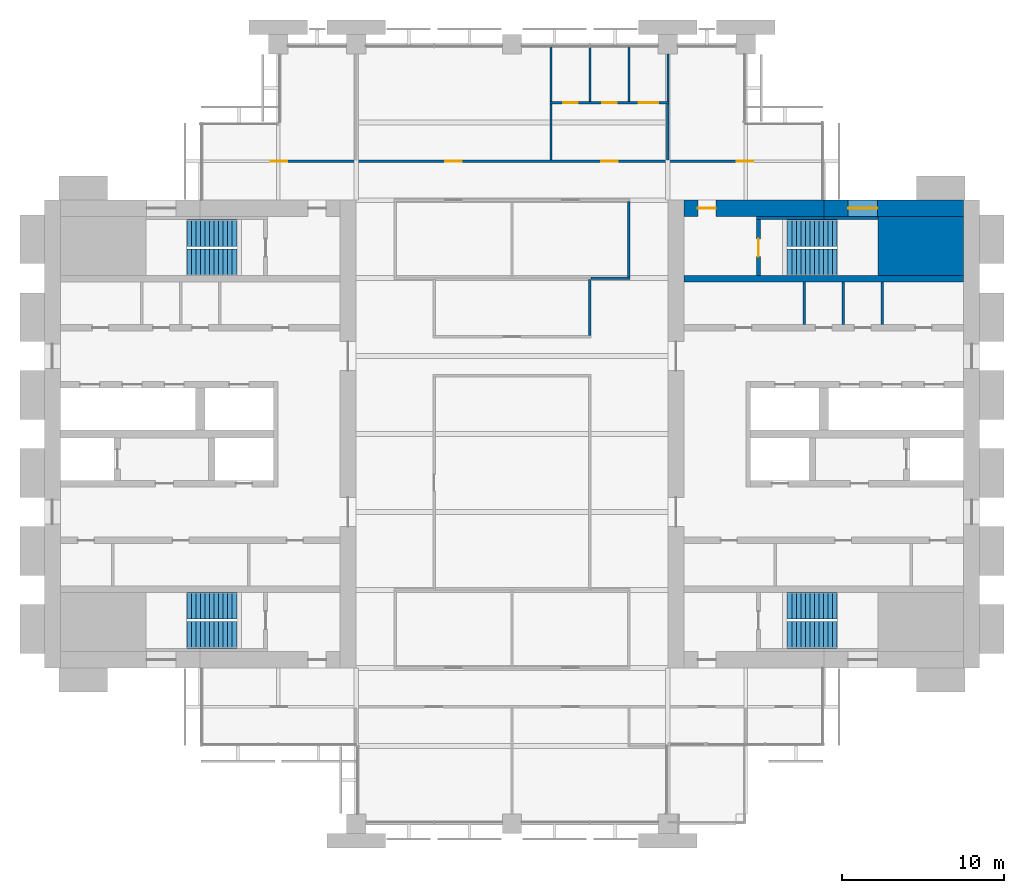
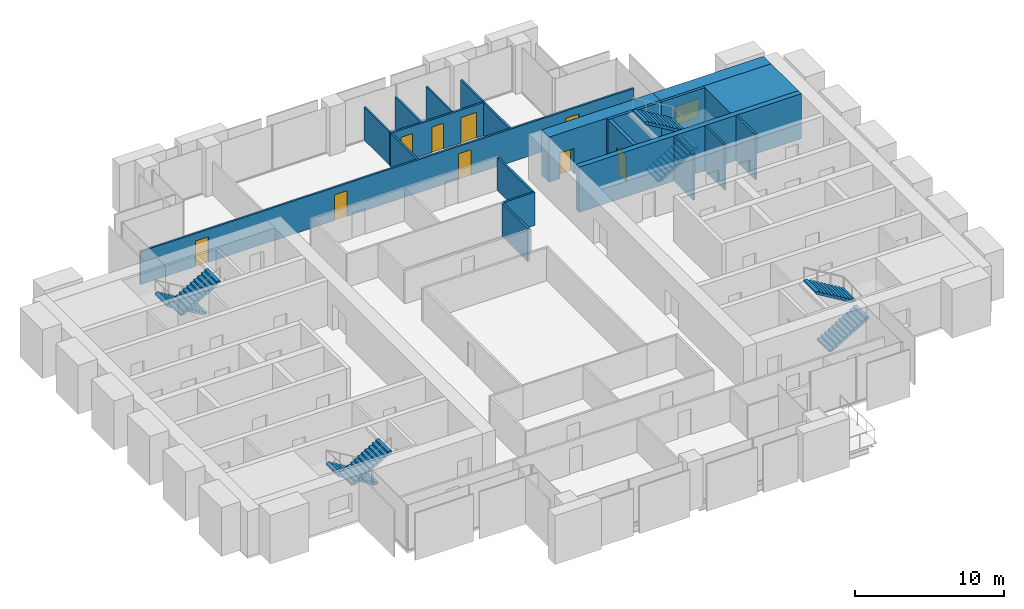
# One storey, part 11 of 13: 21 walls, 9 doors, 8 stair flights, 1 window, 10 openings, 4 elements without a shape of their own.
"""IFC4 building model written with IfcOpenShell, lengths in metres."""

from ifc_helpers import new_model, si_unit, direction, frame, frame_2d, origin, place, context, subcontext, project, spatial, polyline, rectangle, outline, extrude, material, layer, layer_set, type_object, element, fill, aggregate, save


model = new_model("IFC4")

# Units and contexts
model_context = context("Model", 3, precision=1e-05, world=origin(), true_north=direction((0.0, 1.0)))
body_context = subcontext(model_context, "Body", "Model", "MODEL_VIEW")
ifc_project = project(units=[si_unit("LENGTHUNIT", "METRE"), si_unit("AREAUNIT", "SQUARE_METRE"), si_unit("VOLUMEUNIT", "CUBIC_METRE"), si_unit("PLANEANGLEUNIT", "RADIAN"), si_unit("MASSUNIT", "GRAM", prefix="KILO")], contexts=[model_context])

# Site, building, storey
site_placement = place(None, origin())
site = spatial("IfcSite", under=ifc_project, at=site_placement, CompositionType="ELEMENT")
building_placement = place(site_placement, origin())
building = spatial("IfcBuilding", under=site, at=building_placement, Name="Baori Bourse Tower", CompositionType="ELEMENT")
storey_placement = place(building_placement, frame((0.0, 0.0, 172.10009765625)))
storey = spatial("IfcBuildingStorey", under=building, at=storey_placement, Name="L38", CompositionType="ELEMENT", Elevation=172.10009765625)

# Walls
ifc_material_1 = material(Name="Concrete f'c 60 MPa", Category="concrete")
wall_type_1 = type_object("IfcWallType", Name="Core corner block f'c 60", PredefinedType="SHEAR", material=ifc_material_1)
wall_1_placement = place(storey_placement, frame((51.35009765625, 35.574951171875, 0.0), z_axis=(0.0, 0.0, 1.0), x_axis=(1.0, 0.0, 0.0)))
element("IfcWall", 1, at=wall_1_placement, inside=storey, type_object=wall_type_1, Name="Core wall E25", PredefinedType="SHEAR", context=body_context, shape_type="SweptSolid", body=[
    extrude(rectangle(XDim=5.25, YDim=3.64990234375, at=frame_2d((2.625, 0.0))), origin(), (0.0, 0.0, 1.0), 3.699951171875),
])
ifc_material_2 = material(Name="Blockwork partition", Category="masonry")
ifc_layer_1 = layer(ifc_material_2, 0.14990234375)
ifc_layer_set_1 = layer_set([ifc_layer_1], Name="Core partition 150")
wall_type_2 = type_object("IfcWallType", Name="Core partition 150", PredefinedType="PARTITIONING", material=ifc_layer_set_1)
for number, where, z_axis, x_axis, name in (
    (2, (51.60009765625, 30.75, 0.0), (0.0, 0.0, 1.0), (0.0, 1.0, 0.0), "Partition wall E21"),
    (3, (49.199951171875, 30.75, 0.0), (0.0, 0.0, 1.0), (0.0, 1.0, 0.0), "Partition wall E22"),
    (4, (46.800048828125, 30.75, 0.0), (0.0, 0.0, 1.0), (0.0, 1.0, 0.0), "Partition wall E23"),
):
    element("IfcWall", number, at=place(storey_placement, frame(where, z_axis=z_axis, x_axis=x_axis)), inside=storey, type_object=wall_type_2, Name=name, PredefinedType="PARTITIONING", context=body_context, shape_type="SweptSolid", body=[
        extrude(rectangle(XDim=2.60009765625, YDim=0.14990234375, at=frame_2d((1.300048828125, 0.0))), origin(), (0.0, 0.0, 1.0), 3.699951171875),
    ])

# Wall, opening, window
ifc_material_3 = material(Name="Concrete f'c 60 MPa", Category="concrete")
ifc_layer_2 = layer(ifc_material_3, 1.0)
ifc_layer_set_2 = layer_set([ifc_layer_2], Name="Core wall 1000 f'c 60")
wall_type_3 = type_object("IfcWallType", Name="Core wall 1000 f'c 60", PredefinedType="SHEAR", material=ifc_layer_set_2)
wall_2_placement = place(storey_placement, frame((48.0, 37.89990234375, 0.0), z_axis=(0.0, 0.0, 1.0), x_axis=(1.0, 0.0, 0.0)))
wall_2 = element("IfcWall", 5, at=wall_2_placement, inside=storey, type_object=wall_type_3, Name="Core wall E29", PredefinedType="SHEAR", context=body_context, shape_type="SweptSolid", body=[
    extrude(rectangle(XDim=8.60009765625, YDim=1.0, at=frame_2d((4.300048828125, 0.0))), origin(), (0.0, 0.0, 1.0), 3.699951171875),
])
opening_1_placement = place(wall_2_placement, frame((1.5, 0.0, 0.89990234375)))
opening_1 = element("IfcOpeningElement", 6, at=opening_1_placement, cuts=wall_2, Name="Opening L38-KW204", PredefinedType="OPENING", context=body_context, shape_type="SweptSolid", body=[
    extrude(rectangle(XDim=1.800048828125, YDim=1.5, at=frame_2d((0.89990234375, 0.75))), frame((0.0, 0.510009765625, 0.0), z_axis=(0.0, -1.0, 0.0), x_axis=(1.0, 0.0, 0.0)), (0.0, 0.0, 1.0), 1.02001953125),
])
ifc_material_4 = material(Name="Pale anodised aluminium", Category="aluminium")
window_type = type_object("IfcWindowType", Name="Stair window 1800 x 1500", PartitioningType="SINGLE_PANEL", PredefinedType="WINDOW", material=ifc_material_4)
window_placement = place(opening_1_placement, origin())
window = element("IfcWindow", 7, at=window_placement, inside=storey, type_object=window_type, Name="Stair window E L38 4", OverallHeight=1.5, OverallWidth=1.800048828125, PartitioningType="SINGLE_PANEL", PredefinedType="WINDOW", context=body_context, shape_type="SweptSolid", body=[
    extrude(rectangle(XDim=1.800048828125, YDim=1.5, at=frame_2d((0.89990234375, 0.75))), frame((0.0, 0.030029296875, 0.0), z_axis=(0.0, -1.0, 0.0), x_axis=(1.0, 0.0, 0.0)), (0.0, 0.0, 1.0), 0.06005859375),
])
fill(opening_1, window)

# Wall, opening, door
wall_3_placement = place(storey_placement, frame((39.39990234375, 37.89990234375, 0.0), z_axis=(0.0, 0.0, 1.0), x_axis=(1.0, 0.0, 0.0)))
wall_3 = element("IfcWall", 8, at=wall_3_placement, inside=storey, type_object=wall_type_3, Name="Core wall E30", PredefinedType="SHEAR", context=body_context, shape_type="SweptSolid", body=[
    extrude(rectangle(XDim=8.60009765625, YDim=1.0, at=frame_2d((4.300048828125, 0.0))), origin(), (0.0, 0.0, 1.0), 3.699951171875),
])
opening_2_placement = place(wall_3_placement, frame((0.85009765625, 0.0, 0.0)))
opening_2 = element("IfcOpeningElement", 9, at=opening_2_placement, cuts=wall_3, Name="Opening L38-D204", PredefinedType="OPENING", context=body_context, shape_type="SweptSolid", body=[
    extrude(rectangle(XDim=1.10009765625, YDim=2.10009765625, at=frame_2d((0.550048828125, 1.050048828125))), frame((0.0, 0.510009765625, 0.0), z_axis=(0.0, -1.0, 0.0), x_axis=(1.0, 0.0, 0.0)), (0.0, 0.0, 1.0), 1.02001953125),
])
ifc_material_5 = material(Name="Painted steel door", Category="steel")
door_type_1 = type_object("IfcDoorType", Name="Stair door 1100", OperationType="SINGLE_SWING_LEFT", PredefinedType="DOOR", material=ifc_material_5)
door_1_placement = place(opening_2_placement, origin())
door_1 = element("IfcDoor", 10, at=door_1_placement, inside=storey, type_object=door_type_1, Name="Stair vestibule door B E L38", OperationType="SINGLE_SWING_LEFT", OverallHeight=2.10009765625, OverallWidth=1.10009765625, PredefinedType="DOOR", context=body_context, shape_type="SweptSolid", body=[
    extrude(rectangle(XDim=1.10009765625, YDim=2.10009765625, at=frame_2d((0.550048828125, 1.050048828125))), frame((0.0, 0.02490234375, 0.0), z_axis=(0.0, -1.0, 0.0), x_axis=(1.0, 0.0, 0.0)), (0.0, 0.0, 1.0), 0.050048828125),
])
fill(opening_2, door_1)

# Wall
ifc_material_6 = material(Name="Gypsum board partition")
ifc_layer_3 = layer(ifc_material_6, 0.14990234375)
ifc_layer_set_3 = layer_set([ifc_layer_3], Name="Corridor partition 150")
wall_type_4 = type_object("IfcWallType", Name="Corridor partition 150", PredefinedType="PARTITIONING", material=ifc_layer_set_3)
wall_4_placement = place(storey_placement, frame((33.675048828125, 33.60009765625, 0.0), z_axis=(0.0, 0.0, 1.0), x_axis=(1.0, 0.0, 0.0)))
element("IfcWall", 11, at=wall_4_placement, inside=storey, type_object=wall_type_4, Name="Partition", PredefinedType="PARTITIONING", context=body_context, shape_type="SweptSolid", body=[
    extrude(rectangle(XDim=2.39990234375, YDim=0.14990234375, at=frame_2d((1.199951171875, 0.0))), origin(), (0.0, 0.0, 1.0), 2.709228515625),
])

# Wall, openings, doors
wall_5_placement = place(storey_placement, frame((9.699951171875, 40.800048828125, 0.0), z_axis=(0.0, 0.0, 1.0), x_axis=(1.0, 0.0, 0.0)))
wall_5 = element("IfcWall", 12, at=wall_5_placement, inside=storey, type_object=wall_type_4, Name="Partition", PredefinedType="PARTITIONING", context=body_context, shape_type="SweptSolid", body=[
    extrude(rectangle(XDim=38.199951171875, YDim=0.14990234375, at=frame_2d((19.10009765625, 0.0))), origin(), (0.0, 0.0, 1.0), 2.709228515625),
])
opening_3_placement = place(wall_5_placement, frame((4.25, 0.0, 0.0)))
opening_3 = element("IfcOpeningElement", 13, at=opening_3_placement, cuts=wall_5, Name="Opening L38-D11", PredefinedType="OPENING", context=body_context, shape_type="SweptSolid", body=[
    extrude(rectangle(XDim=1.0, YDim=2.10009765625, at=frame_2d((0.5, 1.050048828125))), frame((0.0, 0.0849609375, 0.0), z_axis=(0.0, -1.0, 0.0), x_axis=(1.0, 0.0, 0.0)), (0.0, 0.0, 1.0), 0.169921875),
])
opening_4_placement = place(wall_5_placement, frame((15.0, 0.0, 0.0)))
opening_4 = element("IfcOpeningElement", 14, at=opening_4_placement, cuts=wall_5, Name="Opening L38-D12", PredefinedType="OPENING", context=body_context, shape_type="SweptSolid", body=[
    extrude(rectangle(XDim=1.0, YDim=2.10009765625, at=frame_2d((0.5, 1.050048828125))), frame((0.0, 0.0849609375, 0.0), z_axis=(0.0, -1.0, 0.0), x_axis=(1.0, 0.0, 0.0)), (0.0, 0.0, 1.0), 0.169921875),
])
opening_5_placement = place(wall_5_placement, frame((24.60009765625, 0.0, 0.0)))
opening_5 = element("IfcOpeningElement", 15, at=opening_5_placement, cuts=wall_5, Name="Opening L38-D13", PredefinedType="OPENING", context=body_context, shape_type="SweptSolid", body=[
    extrude(rectangle(XDim=1.0, YDim=2.10009765625, at=frame_2d((0.5, 1.050048828125))), frame((0.0, 0.0849609375, 0.0), z_axis=(0.0, -1.0, 0.0), x_axis=(1.0, 0.0, 0.0)), (0.0, 0.0, 1.0), 0.169921875),
])
opening_6_placement = place(wall_5_placement, frame((32.949951171875, 0.0, 0.0)))
opening_6 = element("IfcOpeningElement", 16, at=opening_6_placement, cuts=wall_5, Name="Opening L38-D14", PredefinedType="OPENING", context=body_context, shape_type="SweptSolid", body=[
    extrude(rectangle(XDim=1.0, YDim=2.10009765625, at=frame_2d((0.5, 1.050048828125))), frame((0.0, 0.0849609375, 0.0), z_axis=(0.0, -1.0, 0.0), x_axis=(1.0, 0.0, 0.0)), (0.0, 0.0, 1.0), 0.169921875),
])
ifc_material_7 = material(Name="Timber door leaf", Category="wood")
door_type_2 = type_object("IfcDoorType", Name="Door 1000 x 2100", OperationType="SINGLE_SWING_LEFT", PredefinedType="DOOR", material=ifc_material_7)
door_2_placement = place(opening_3_placement, origin())
door_2 = element("IfcDoor", 17, at=door_2_placement, inside=storey, type_object=door_type_2, Name="Door", OperationType="SINGLE_SWING_RIGHT", OverallHeight=2.10009765625, OverallWidth=1.0, PredefinedType="DOOR", context=body_context, shape_type="SweptSolid", body=[
    extrude(rectangle(XDim=1.0, YDim=2.10009765625, at=frame_2d((0.5, 1.050048828125))), frame((0.0, 0.02490234375, 0.0), z_axis=(0.0, -1.0, 0.0), x_axis=(1.0, 0.0, 0.0)), (0.0, 0.0, 1.0), 0.050048828125),
])
fill(opening_3, door_2)
door_3_placement = place(opening_4_placement, origin())
door_3 = element("IfcDoor", 18, at=door_3_placement, inside=storey, type_object=door_type_2, Name="Door", OperationType="SINGLE_SWING_RIGHT", OverallHeight=2.10009765625, OverallWidth=1.0, PredefinedType="DOOR", context=body_context, shape_type="SweptSolid", body=[
    extrude(rectangle(XDim=1.0, YDim=2.10009765625, at=frame_2d((0.5, 1.050048828125))), frame((0.0, 0.02490234375, 0.0), z_axis=(0.0, -1.0, 0.0), x_axis=(1.0, 0.0, 0.0)), (0.0, 0.0, 1.0), 0.050048828125),
])
fill(opening_4, door_3)
door_4_placement = place(opening_5_placement, origin())
door_4 = element("IfcDoor", 19, at=door_4_placement, inside=storey, type_object=door_type_2, Name="Door", OperationType="SINGLE_SWING_RIGHT", OverallHeight=2.10009765625, OverallWidth=1.0, PredefinedType="DOOR", context=body_context, shape_type="SweptSolid", body=[
    extrude(rectangle(XDim=1.0, YDim=2.10009765625, at=frame_2d((0.5, 1.050048828125))), frame((0.0, 0.02490234375, 0.0), z_axis=(0.0, -1.0, 0.0), x_axis=(1.0, 0.0, 0.0)), (0.0, 0.0, 1.0), 0.050048828125),
])
fill(opening_5, door_4)
door_5_placement = place(opening_6_placement, origin())
door_5 = element("IfcDoor", 20, at=door_5_placement, inside=storey, type_object=door_type_2, Name="Door", OperationType="SINGLE_SWING_LEFT", OverallHeight=2.10009765625, OverallWidth=1.0, PredefinedType="DOOR", context=body_context, shape_type="SweptSolid", body=[
    extrude(rectangle(XDim=1.0, YDim=2.10009765625, at=frame_2d((0.5, 1.050048828125))), frame((0.0, 0.02490234375, 0.0), z_axis=(0.0, -1.0, 0.0), x_axis=(1.0, 0.0, 0.0)), (0.0, 0.0, 1.0), 0.050048828125),
])
fill(opening_6, door_5)

wall_6_placement = place(storey_placement, frame((31.125, 44.39990234375, 0.0), z_axis=(0.0, 0.0, 1.0), x_axis=(1.0, 0.0, 0.0)))
wall_6 = element("IfcWall", 21, at=wall_6_placement, inside=storey, type_object=wall_type_4, Name="Partition", PredefinedType="PARTITIONING", context=body_context, shape_type="SweptSolid", body=[
    extrude(rectangle(XDim=7.35009765625, YDim=0.14990234375, at=frame_2d((3.675048828125, 0.0))), origin(), (0.0, 0.0, 1.0), 2.709228515625),
])
opening_7_placement = place(wall_6_placement, frame((0.824951171875, 0.0, 0.0)))
opening_7 = element("IfcOpeningElement", 22, at=opening_7_placement, cuts=wall_6, Name="Opening L38-D15", PredefinedType="OPENING", context=body_context, shape_type="SweptSolid", body=[
    extrude(rectangle(XDim=0.89990234375, YDim=2.10009765625, at=frame_2d((0.449951171875, 1.050048828125))), frame((0.0, 0.0849609375, 0.0), z_axis=(0.0, -1.0, 0.0), x_axis=(1.0, 0.0, 0.0)), (0.0, 0.0, 1.0), 0.169921875),
])
opening_8_placement = place(wall_6_placement, frame((3.22509765625, 0.0, 0.0)))
opening_8 = element("IfcOpeningElement", 23, at=opening_8_placement, cuts=wall_6, Name="Opening L38-D16", PredefinedType="OPENING", context=body_context, shape_type="SweptSolid", body=[
    extrude(rectangle(XDim=0.89990234375, YDim=2.10009765625, at=frame_2d((0.449951171875, 1.050048828125))), frame((0.0, 0.0849609375, 0.0), z_axis=(0.0, -1.0, 0.0), x_axis=(1.0, 0.0, 0.0)), (0.0, 0.0, 1.0), 0.169921875),
])
opening_9_placement = place(wall_6_placement, frame((5.47509765625, 0.0, 0.0)))
opening_9 = element("IfcOpeningElement", 24, at=opening_9_placement, cuts=wall_6, Name="Opening L38-D17", PredefinedType="OPENING", context=body_context, shape_type="SweptSolid", body=[
    extrude(rectangle(XDim=1.199951171875, YDim=2.10009765625, at=frame_2d((0.60009765625, 1.050048828125))), frame((0.0, 0.0849609375, 0.0), z_axis=(0.0, -1.0, 0.0), x_axis=(1.0, 0.0, 0.0)), (0.0, 0.0, 1.0), 0.169921875),
])
ifc_material_8 = material(Name="Timber door leaf", Category="wood")
door_type_3 = type_object("IfcDoorType", Name="Door 1200 x 2100", OperationType="SINGLE_SWING_LEFT", PredefinedType="DOOR", material=ifc_material_8)
door_6_placement = place(opening_9_placement, origin())
door_6 = element("IfcDoor", 25, at=door_6_placement, inside=storey, type_object=door_type_3, Name="Door", OperationType="SINGLE_SWING_LEFT", OverallHeight=2.10009765625, OverallWidth=1.199951171875, PredefinedType="DOOR", context=body_context, shape_type="SweptSolid", body=[
    extrude(rectangle(XDim=1.199951171875, YDim=2.10009765625, at=frame_2d((0.60009765625, 1.050048828125))), frame((0.0, 0.02490234375, 0.0), z_axis=(0.0, -1.0, 0.0), x_axis=(1.0, 0.0, 0.0)), (0.0, 0.0, 1.0), 0.050048828125),
])
fill(opening_9, door_6)
ifc_material_9 = material(Name="Timber door leaf", Category="wood")
door_type_4 = type_object("IfcDoorType", Name="Door 900 x 2100", OperationType="SINGLE_SWING_LEFT", PredefinedType="DOOR", material=ifc_material_9)
door_7_placement = place(opening_7_placement, origin())
door_7 = element("IfcDoor", 26, at=door_7_placement, inside=storey, type_object=door_type_4, Name="Door", OperationType="SINGLE_SWING_RIGHT", OverallHeight=2.10009765625, OverallWidth=0.89990234375, PredefinedType="DOOR", context=body_context, shape_type="SweptSolid", body=[
    extrude(rectangle(XDim=0.89990234375, YDim=2.10009765625, at=frame_2d((0.449951171875, 1.050048828125))), frame((0.0, 0.02490234375, 0.0), z_axis=(0.0, -1.0, 0.0), x_axis=(1.0, 0.0, 0.0)), (0.0, 0.0, 1.0), 0.050048828125),
])
fill(opening_7, door_7)
door_8_placement = place(opening_8_placement, origin())
door_8 = element("IfcDoor", 27, at=door_8_placement, inside=storey, type_object=door_type_4, Name="Door", OperationType="SINGLE_SWING_RIGHT", OverallHeight=2.10009765625, OverallWidth=0.89990234375, PredefinedType="DOOR", context=body_context, shape_type="SweptSolid", body=[
    extrude(rectangle(XDim=0.89990234375, YDim=2.10009765625, at=frame_2d((0.449951171875, 1.050048828125))), frame((0.0, 0.02490234375, 0.0), z_axis=(0.0, -1.0, 0.0), x_axis=(1.0, 0.0, 0.0)), (0.0, 0.0, 1.0), 0.050048828125),
])
fill(opening_8, door_8)

# Walls
for number, where, z_axis, x_axis, name in (
    (28, (31.199951171875, 40.875, 0.0), (0.0, 0.0, 1.0), (0.0, 1.0, 0.0), "Partition"),
    (29, (33.60009765625, 30.074951171875, 0.0), (0.0, 0.0, 1.0), (0.0, 1.0, 0.0), "Partition"),
):
    element("IfcWall", number, at=place(storey_placement, frame(where, z_axis=z_axis, x_axis=x_axis)), inside=storey, type_object=wall_type_4, Name=name, PredefinedType="PARTITIONING", context=body_context, shape_type="SweptSolid", body=[
        extrude(rectangle(XDim=3.449951171875, YDim=0.14990234375, at=frame_2d((1.72509765625, 0.0))), origin(), (0.0, 0.0, 1.0), 2.709228515625),
    ])
wall_7_placement = place(storey_placement, frame((36.0, 33.675048828125, 0.0), z_axis=(0.0, 0.0, 1.0), x_axis=(0.0, 1.0, 0.0)))
element("IfcWall", 30, at=wall_7_placement, inside=storey, type_object=wall_type_4, Name="Partition", PredefinedType="PARTITIONING", context=body_context, shape_type="SweptSolid", body=[
    extrude(rectangle(XDim=4.64990234375, YDim=0.14990234375, at=frame_2d((2.324951171875, 0.0))), origin(), (0.0, 0.0, 1.0), 2.709228515625),
])
wall_8_placement = place(storey_placement, frame((38.39990234375, 40.875, 0.0), z_axis=(0.0, 0.0, 1.0), x_axis=(0.0, 1.0, 0.0)))
element("IfcWall", 31, at=wall_8_placement, inside=storey, type_object=wall_type_4, Name="Partition", PredefinedType="PARTITIONING", context=body_context, shape_type="SweptSolid", body=[
    extrude(rectangle(XDim=3.449951171875, YDim=0.14990234375, at=frame_2d((1.72509765625, 0.0))), origin(), (0.0, 0.0, 1.0), 2.709228515625),
])
ifc_material_10 = material(Name="Gypsum board partition")
ifc_layer_4 = layer(ifc_material_10, 0.125)
ifc_layer_set_4 = layer_set([ifc_layer_4], Name="Partition 125")
wall_type_5 = type_object("IfcWallType", Name="Partition 125", PredefinedType="PARTITIONING", material=ifc_layer_set_4)
for number, where, z_axis, x_axis, name in (
    (32, (31.199951171875, 44.47509765625, 0.0), (0.0, 0.0, 1.0), (0.0, 1.0, 0.0), "Partition"),
    (33, (33.60009765625, 44.47509765625, 0.0), (0.0, 0.0, 1.0), (0.0, 1.0, 0.0), "Partition"),
    (34, (36.0, 44.47509765625, 0.0), (0.0, 0.0, 1.0), (0.0, 1.0, 0.0), "Partition"),
):
    element("IfcWall", number, at=place(storey_placement, frame(where, z_axis=z_axis, x_axis=x_axis)), inside=storey, type_object=wall_type_5, Name=name, PredefinedType="PARTITIONING", context=body_context, shape_type="SweptSolid", body=[
        extrude(rectangle(XDim=3.4248046875, YDim=0.125, at=frame_2d((1.71240234375, 0.0))), origin(), (0.0, 0.0, 1.0), 2.709228515625),
    ])
wall_9_placement = place(storey_placement, frame((38.39990234375, 44.47509765625, 0.0), z_axis=(0.0, 0.0, 1.0), x_axis=(0.0, 1.0, 0.0)))
element("IfcWall", 35, at=wall_9_placement, inside=storey, type_object=wall_type_5, Name="Partition", PredefinedType="PARTITIONING", context=body_context, shape_type="SweptSolid", body=[
    extrude(rectangle(XDim=2.9248046875, YDim=0.125, at=frame_2d((1.46240234375, 0.0))), origin(), (0.0, 0.0, 1.0), 2.709228515625),
])
ifc_material_11 = material(Name="Concrete f'c 60 MPa", Category="concrete")
ifc_layer_5 = layer(ifc_material_11, 0.199951171875)
ifc_layer_set_5 = layer_set([ifc_layer_5], Name="Shaft wall 200 f'c 60")
wall_type_6 = type_object("IfcWallType", Name="Shaft wall 200 f'c 60", PredefinedType="SHEAR", material=ifc_layer_set_5)
wall_10_placement = place(storey_placement, frame((48.0, 37.300048828125, 0.0), z_axis=(0.0, 0.0, 1.0), x_axis=(1.0, 0.0, 0.0)))
element("IfcWall", 36, at=wall_10_placement, inside=storey, type_object=wall_type_6, Name="Core wall E27", PredefinedType="SHEAR", context=body_context, shape_type="SweptSolid", body=[
    extrude(rectangle(XDim=3.35009765625, YDim=0.199951171875, at=frame_2d((1.675048828125, 0.0))), origin(), (0.0, 0.0, 1.0), 3.699951171875),
])
wall_11_placement = place(storey_placement, frame((43.85009765625, 37.300048828125, 0.0), z_axis=(0.0, 0.0, 1.0), x_axis=(1.0, 0.0, 0.0)))
element("IfcWall", 37, at=wall_11_placement, inside=storey, type_object=wall_type_6, Name="Core wall E28", PredefinedType="SHEAR", context=body_context, shape_type="SweptSolid", body=[
    extrude(rectangle(XDim=4.14990234375, YDim=0.199951171875, at=frame_2d((2.074951171875, 0.0))), origin(), (0.0, 0.0, 1.0), 3.699951171875),
])

# Wall, opening, door
ifc_material_12 = material(Name="Concrete f'c 60 MPa", Category="concrete")
ifc_layer_6 = layer(ifc_material_12, 0.25)
ifc_layer_set_6 = layer_set([ifc_layer_6], Name="Shaft wall 250 f'c 60")
wall_type_7 = type_object("IfcWallType", Name="Shaft wall 250 f'c 60", PredefinedType="SHEAR", material=ifc_layer_set_6)
wall_12_placement = place(storey_placement, frame((43.97509765625, 33.75, 0.0), z_axis=(0.0, 0.0, 1.0), x_axis=(0.0, 1.0, 0.0)))
wall_12 = element("IfcWall", 38, at=wall_12_placement, inside=storey, type_object=wall_type_7, Name="Core wall E26", PredefinedType="SHEAR", context=body_context, shape_type="SweptSolid", body=[
    extrude(rectangle(XDim=3.449951171875, YDim=0.25, at=frame_2d((1.72509765625, 0.0))), origin(), (0.0, 0.0, 1.0), 3.699951171875),
])
opening_10_placement = place(wall_12_placement, frame((1.175048828125, 0.0, 0.0)))
opening_10 = element("IfcOpeningElement", 39, at=opening_10_placement, cuts=wall_12, Name="Opening L38-D203", PredefinedType="OPENING", context=body_context, shape_type="SweptSolid", body=[
    extrude(rectangle(XDim=1.10009765625, YDim=2.10009765625, at=frame_2d((0.550048828125, 1.050048828125))), frame((0.0, 0.135009765625, 0.0), z_axis=(0.0, -1.0, 0.0), x_axis=(1.0, 0.0, 0.0)), (0.0, 0.0, 1.0), 0.27001953125),
])
door_9_placement = place(opening_10_placement, origin())
door_9 = element("IfcDoor", 40, at=door_9_placement, inside=storey, type_object=door_type_1, Name="Stair door B E L38", OperationType="SINGLE_SWING_LEFT", OverallHeight=2.10009765625, OverallWidth=1.10009765625, PredefinedType="DOOR", context=body_context, shape_type="SweptSolid", body=[
    extrude(rectangle(XDim=1.10009765625, YDim=2.10009765625, at=frame_2d((0.550048828125, 1.050048828125))), frame((0.0, 0.02490234375, 0.0), z_axis=(0.0, -1.0, 0.0), x_axis=(1.0, 0.0, 0.0)), (0.0, 0.0, 1.0), 0.050048828125),
])
fill(opening_10, door_9)

# Wall
ifc_material_13 = material(Name="Concrete f'c 60 MPa", Category="concrete")
ifc_layer_7 = layer(ifc_material_13, 0.39990234375)
ifc_layer_set_7 = layer_set([ifc_layer_7], Name="Shaft wall 400 f'c 60")
wall_type_8 = type_object("IfcWallType", Name="Shaft wall 400 f'c 60", PredefinedType="SHEAR", material=ifc_layer_set_7)
wall_13_placement = place(storey_placement, frame((39.39990234375, 33.550048828125, 0.0), z_axis=(0.0, 0.0, 1.0), x_axis=(1.0, 0.0, 0.0)))
element("IfcWall", 41, at=wall_13_placement, inside=storey, type_object=wall_type_8, Name="Core wall E24", PredefinedType="SHEAR", context=body_context, shape_type="SweptSolid", body=[
    extrude(rectangle(XDim=17.2001953125, YDim=0.39990234375, at=frame_2d((8.60009765625, 0.0))), origin(), (0.0, 0.0, 1.0), 3.699951171875),
])

# Stair, stair flights
ifc_material_14 = material(Name="Concrete f'c 50 MPa", Category="concrete")
stair_type = type_object("IfcStairType", Name="Core stair", PredefinedType="HALF_TURN_STAIR", material=ifc_material_14)
stair_1_placement = place(storey_placement, origin())
stair_1 = element("IfcStair", 42, at=stair_1_placement, inside=storey, type_object=stair_type, Name="L38 Stair WA", PredefinedType="HALF_TURN_STAIR")
ifc_material_15 = material(Name="Concrete f'c 50 MPa", Category="concrete")
stair_flight_type = type_object("IfcStairFlightType", Name="Core stair flight", PredefinedType="STRAIGHT", material=ifc_material_15)
stair_flight_1_placement = place(storey_placement, frame((11.85009765625, 13.425048828125, 0.0), z_axis=(0.0, 0.0, 1.0), x_axis=(-1.0, 0.0, 0.0)))
stair_flight_1 = element("IfcStairFlight", 43, at=stair_flight_1_placement, type_object=stair_flight_type, Name="ST1 flight 1", NumberOfRisers=12, NumberOfTreads=11, PredefinedType="STRAIGHT", RiserHeight=0.166666667, TreadLength=0.28, context=body_context, shape_type="SweptSolid", body=[
    extrude(outline(polyline([(0.0, 0.0), (0.0, 0.166748046875), (0.280029296875, 0.166748046875), (0.280029296875, 0.333251953125), (0.56005859375, 0.333251953125), (0.56005859375, 0.5), (0.840087890625, 0.5), (0.840087890625, 0.666748046875), (1.1201171875, 0.666748046875), (1.1201171875, 0.833251953125), (1.39990234375, 0.833251953125), (1.39990234375, 1.0), (1.679931640625, 1.0), (1.679931640625, 1.166748046875), (1.9599609375, 1.166748046875), (1.9599609375, 1.333251953125), (2.239990234375, 1.333251953125), (2.239990234375, 1.5), (2.52001953125, 1.5), (2.52001953125, 1.666748046875), (2.800048828125, 1.666748046875), (2.800048828125, 1.833251953125), (3.080078125, 1.833251953125), (3.080078125, 2.0), (3.080078125, 1.658935546875), (0.29296875, 0.0), (0.0, 0.0)])), frame((0.0, 0.824951171875, 0.0), z_axis=(0.0, -1.0, 0.0), x_axis=(1.0, 0.0, 0.0)), (0.0, 0.0, 1.0), 1.64990234375),
])
stair_flight_2_placement = place(storey_placement, frame((8.77001953125, 11.625, 2.0), z_axis=(0.0, 0.0, 1.0), x_axis=(1.0, 0.0, 0.0)))
stair_flight_2 = element("IfcStairFlight", 44, at=stair_flight_2_placement, type_object=stair_flight_type, Name="ST1 flight 2", NumberOfRisers=12, NumberOfTreads=11, PredefinedType="STRAIGHT", RiserHeight=0.166666667, TreadLength=0.28, context=body_context, shape_type="SweptSolid", body=[
    extrude(outline(polyline([(0.0, 0.0), (0.0, 0.166748046875), (0.280029296875, 0.166748046875), (0.280029296875, 0.333251953125), (0.56005859375, 0.333251953125), (0.56005859375, 0.5), (0.840087890625, 0.5), (0.840087890625, 0.666748046875), (1.1201171875, 0.666748046875), (1.1201171875, 0.833251953125), (1.39990234375, 0.833251953125), (1.39990234375, 1.0), (1.679931640625, 1.0), (1.679931640625, 1.166748046875), (1.9599609375, 1.166748046875), (1.9599609375, 1.333251953125), (2.239990234375, 1.333251953125), (2.239990234375, 1.5), (2.52001953125, 1.5), (2.52001953125, 1.666748046875), (2.800048828125, 1.666748046875), (2.800048828125, 1.833251953125), (3.080078125, 1.833251953125), (3.080078125, 2.0), (3.080078125, 1.658935546875), (0.29296875, 0.0), (0.0, 0.0)])), frame((0.0, 0.824951171875, 0.0), z_axis=(0.0, -1.0, 0.0), x_axis=(1.0, 0.0, 0.0)), (0.0, 0.0, 1.0), 1.64990234375),
])
aggregate(stair_1, [stair_flight_1, stair_flight_2])

stair_2_placement = place(storey_placement, origin())
stair_2 = element("IfcStair", 45, at=stair_2_placement, inside=storey, type_object=stair_type, Name="L38 Stair WB", PredefinedType="HALF_TURN_STAIR")
stair_flight_3_placement = place(storey_placement, frame((11.85009765625, 36.375, 0.0), z_axis=(0.0, 0.0, 1.0), x_axis=(-1.0, 0.0, 0.0)))
stair_flight_3 = element("IfcStairFlight", 46, at=stair_flight_3_placement, type_object=stair_flight_type, Name="ST2 flight 1", NumberOfRisers=12, NumberOfTreads=11, PredefinedType="STRAIGHT", RiserHeight=0.166666667, TreadLength=0.28, context=body_context, shape_type="SweptSolid", body=[
    extrude(outline(polyline([(0.0, 0.0), (0.0, 0.166748046875), (0.280029296875, 0.166748046875), (0.280029296875, 0.333251953125), (0.56005859375, 0.333251953125), (0.56005859375, 0.5), (0.840087890625, 0.5), (0.840087890625, 0.666748046875), (1.1201171875, 0.666748046875), (1.1201171875, 0.833251953125), (1.39990234375, 0.833251953125), (1.39990234375, 1.0), (1.679931640625, 1.0), (1.679931640625, 1.166748046875), (1.9599609375, 1.166748046875), (1.9599609375, 1.333251953125), (2.239990234375, 1.333251953125), (2.239990234375, 1.5), (2.52001953125, 1.5), (2.52001953125, 1.666748046875), (2.800048828125, 1.666748046875), (2.800048828125, 1.833251953125), (3.080078125, 1.833251953125), (3.080078125, 2.0), (3.080078125, 1.658935546875), (0.29296875, 0.0), (0.0, 0.0)])), frame((0.0, 0.824951171875, 0.0), z_axis=(0.0, -1.0, 0.0), x_axis=(1.0, 0.0, 0.0)), (0.0, 0.0, 1.0), 1.64990234375),
])
stair_flight_4_placement = place(storey_placement, frame((8.77001953125, 34.574951171875, 2.0), z_axis=(0.0, 0.0, 1.0), x_axis=(1.0, 0.0, 0.0)))
stair_flight_4 = element("IfcStairFlight", 47, at=stair_flight_4_placement, type_object=stair_flight_type, Name="ST2 flight 2", NumberOfRisers=12, NumberOfTreads=11, PredefinedType="STRAIGHT", RiserHeight=0.166666667, TreadLength=0.28, context=body_context, shape_type="SweptSolid", body=[
    extrude(outline(polyline([(0.0, 0.0), (0.0, 0.166748046875), (0.280029296875, 0.166748046875), (0.280029296875, 0.333251953125), (0.56005859375, 0.333251953125), (0.56005859375, 0.5), (0.840087890625, 0.5), (0.840087890625, 0.666748046875), (1.1201171875, 0.666748046875), (1.1201171875, 0.833251953125), (1.39990234375, 0.833251953125), (1.39990234375, 1.0), (1.679931640625, 1.0), (1.679931640625, 1.166748046875), (1.9599609375, 1.166748046875), (1.9599609375, 1.333251953125), (2.239990234375, 1.333251953125), (2.239990234375, 1.5), (2.52001953125, 1.5), (2.52001953125, 1.666748046875), (2.800048828125, 1.666748046875), (2.800048828125, 1.833251953125), (3.080078125, 1.833251953125), (3.080078125, 2.0), (3.080078125, 1.658935546875), (0.29296875, 0.0), (0.0, 0.0)])), frame((0.0, 0.824951171875, 0.0), z_axis=(0.0, -1.0, 0.0), x_axis=(1.0, 0.0, 0.0)), (0.0, 0.0, 1.0), 1.64990234375),
])
aggregate(stair_2, [stair_flight_3, stair_flight_4])

stair_3_placement = place(storey_placement, origin())
stair_3 = element("IfcStair", 48, at=stair_3_placement, inside=storey, type_object=stair_type, Name="L38 Stair EA", PredefinedType="HALF_TURN_STAIR")
stair_flight_5_placement = place(storey_placement, frame((45.75, 11.625, 0.0), z_axis=(0.0, 0.0, 1.0), x_axis=(1.0, 0.0, 0.0)))
stair_flight_5 = element("IfcStairFlight", 49, at=stair_flight_5_placement, type_object=stair_flight_type, Name="ST3 flight 1", NumberOfRisers=12, NumberOfTreads=11, PredefinedType="STRAIGHT", RiserHeight=0.166666667, TreadLength=0.28, context=body_context, shape_type="SweptSolid", body=[
    extrude(outline(polyline([(0.0, 0.0), (0.0, 0.166748046875), (0.280029296875, 0.166748046875), (0.280029296875, 0.333251953125), (0.56005859375, 0.333251953125), (0.56005859375, 0.5), (0.840087890625, 0.5), (0.840087890625, 0.666748046875), (1.1201171875, 0.666748046875), (1.1201171875, 0.833251953125), (1.39990234375, 0.833251953125), (1.39990234375, 1.0), (1.679931640625, 1.0), (1.679931640625, 1.166748046875), (1.9599609375, 1.166748046875), (1.9599609375, 1.333251953125), (2.239990234375, 1.333251953125), (2.239990234375, 1.5), (2.52001953125, 1.5), (2.52001953125, 1.666748046875), (2.800048828125, 1.666748046875), (2.800048828125, 1.833251953125), (3.080078125, 1.833251953125), (3.080078125, 2.0), (3.080078125, 1.658935546875), (0.29296875, 0.0), (0.0, 0.0)])), frame((0.0, 0.824951171875, 0.0), z_axis=(0.0, -1.0, 0.0), x_axis=(1.0, 0.0, 0.0)), (0.0, 0.0, 1.0), 1.64990234375),
])
stair_flight_6_placement = place(storey_placement, frame((48.830078125, 13.425048828125, 2.0), z_axis=(0.0, 0.0, 1.0), x_axis=(-1.0, 0.0, 0.0)))
stair_flight_6 = element("IfcStairFlight", 50, at=stair_flight_6_placement, type_object=stair_flight_type, Name="ST3 flight 2", NumberOfRisers=12, NumberOfTreads=11, PredefinedType="STRAIGHT", RiserHeight=0.166666667, TreadLength=0.28, context=body_context, shape_type="SweptSolid", body=[
    extrude(outline(polyline([(0.0, 0.0), (0.0, 0.166748046875), (0.280029296875, 0.166748046875), (0.280029296875, 0.333251953125), (0.56005859375, 0.333251953125), (0.56005859375, 0.5), (0.840087890625, 0.5), (0.840087890625, 0.666748046875), (1.1201171875, 0.666748046875), (1.1201171875, 0.833251953125), (1.39990234375, 0.833251953125), (1.39990234375, 1.0), (1.679931640625, 1.0), (1.679931640625, 1.166748046875), (1.9599609375, 1.166748046875), (1.9599609375, 1.333251953125), (2.239990234375, 1.333251953125), (2.239990234375, 1.5), (2.52001953125, 1.5), (2.52001953125, 1.666748046875), (2.800048828125, 1.666748046875), (2.800048828125, 1.833251953125), (3.080078125, 1.833251953125), (3.080078125, 2.0), (3.080078125, 1.658935546875), (0.29296875, 0.0), (0.0, 0.0)])), frame((0.0, 0.824951171875, 0.0), z_axis=(0.0, -1.0, 0.0), x_axis=(1.0, 0.0, 0.0)), (0.0, 0.0, 1.0), 1.64990234375),
])
aggregate(stair_3, [stair_flight_5, stair_flight_6])

stair_4_placement = place(storey_placement, origin())
stair_4 = element("IfcStair", 51, at=stair_4_placement, inside=storey, type_object=stair_type, Name="L38 Stair EB", PredefinedType="HALF_TURN_STAIR")
stair_flight_7_placement = place(storey_placement, frame((45.75, 34.574951171875, 0.0), z_axis=(0.0, 0.0, 1.0), x_axis=(1.0, 0.0, 0.0)))
stair_flight_7 = element("IfcStairFlight", 52, at=stair_flight_7_placement, type_object=stair_flight_type, Name="ST4 flight 1", NumberOfRisers=12, NumberOfTreads=11, PredefinedType="STRAIGHT", RiserHeight=0.166666667, TreadLength=0.28, context=body_context, shape_type="SweptSolid", body=[
    extrude(outline(polyline([(0.0, 0.0), (0.0, 0.166748046875), (0.280029296875, 0.166748046875), (0.280029296875, 0.333251953125), (0.56005859375, 0.333251953125), (0.56005859375, 0.5), (0.840087890625, 0.5), (0.840087890625, 0.666748046875), (1.1201171875, 0.666748046875), (1.1201171875, 0.833251953125), (1.39990234375, 0.833251953125), (1.39990234375, 1.0), (1.679931640625, 1.0), (1.679931640625, 1.166748046875), (1.9599609375, 1.166748046875), (1.9599609375, 1.333251953125), (2.239990234375, 1.333251953125), (2.239990234375, 1.5), (2.52001953125, 1.5), (2.52001953125, 1.666748046875), (2.800048828125, 1.666748046875), (2.800048828125, 1.833251953125), (3.080078125, 1.833251953125), (3.080078125, 2.0), (3.080078125, 1.658935546875), (0.29296875, 0.0), (0.0, 0.0)])), frame((0.0, 0.824951171875, 0.0), z_axis=(0.0, -1.0, 0.0), x_axis=(1.0, 0.0, 0.0)), (0.0, 0.0, 1.0), 1.64990234375),
])
stair_flight_8_placement = place(storey_placement, frame((48.830078125, 36.375, 2.0), z_axis=(0.0, 0.0, 1.0), x_axis=(-1.0, 0.0, 0.0)))
stair_flight_8 = element("IfcStairFlight", 53, at=stair_flight_8_placement, type_object=stair_flight_type, Name="ST4 flight 2", NumberOfRisers=12, NumberOfTreads=11, PredefinedType="STRAIGHT", RiserHeight=0.166666667, TreadLength=0.28, context=body_context, shape_type="SweptSolid", body=[
    extrude(outline(polyline([(0.0, 0.0), (0.0, 0.166748046875), (0.280029296875, 0.166748046875), (0.280029296875, 0.333251953125), (0.56005859375, 0.333251953125), (0.56005859375, 0.5), (0.840087890625, 0.5), (0.840087890625, 0.666748046875), (1.1201171875, 0.666748046875), (1.1201171875, 0.833251953125), (1.39990234375, 0.833251953125), (1.39990234375, 1.0), (1.679931640625, 1.0), (1.679931640625, 1.166748046875), (1.9599609375, 1.166748046875), (1.9599609375, 1.333251953125), (2.239990234375, 1.333251953125), (2.239990234375, 1.5), (2.52001953125, 1.5), (2.52001953125, 1.666748046875), (2.800048828125, 1.666748046875), (2.800048828125, 1.833251953125), (3.080078125, 1.833251953125), (3.080078125, 2.0), (3.080078125, 1.658935546875), (0.29296875, 0.0), (0.0, 0.0)])), frame((0.0, 0.824951171875, 0.0), z_axis=(0.0, -1.0, 0.0), x_axis=(1.0, 0.0, 0.0)), (0.0, 0.0, 1.0), 1.64990234375),
])
aggregate(stair_4, [stair_flight_7, stair_flight_8])

save(model, "model.ifc")
